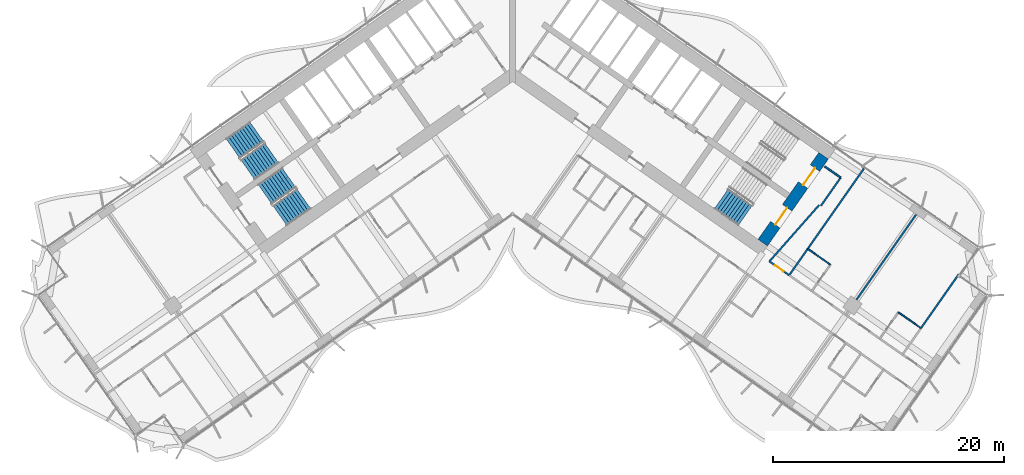
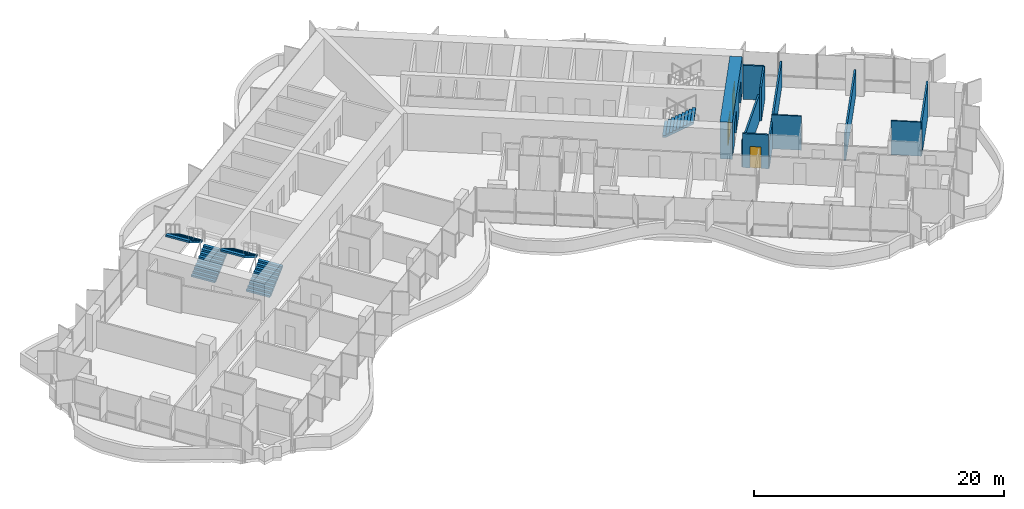
# One storey, part 16 of 23: 11 walls, 5 stair flights, 3 doors, 3 openings, 3 elements without a shape of their own.
"""IFC4 building model written with IfcOpenShell, lengths in metres."""

from ifc_helpers import new_model, si_unit, direction, frame, frame_2d, origin, place, context, subcontext, project, spatial, polyline, rectangle, outline, extrude, material, layer, layer_set, type_object, element, fill, aggregate, save


model = new_model("IFC4")

# Units and contexts
model_context = context("Model", 3, precision=1e-05, world=origin(), true_north=direction((0.0, 1.0)))
body_context = subcontext(model_context, "Body", "Model", "MODEL_VIEW")
ifc_project = project(units=[si_unit("LENGTHUNIT", "METRE"), si_unit("AREAUNIT", "SQUARE_METRE"), si_unit("VOLUMEUNIT", "CUBIC_METRE"), si_unit("PLANEANGLEUNIT", "RADIAN"), si_unit("MASSUNIT", "GRAM", prefix="KILO")], contexts=[model_context])

# Site, building, storey
site_placement = place(None, origin())
site = spatial("IfcSite", under=ifc_project, at=site_placement, CompositionType="ELEMENT")
building_placement = place(site_placement, origin())
building = spatial("IfcBuilding", under=site, at=building_placement, Name="Tel Ilan Convention Tower", CompositionType="ELEMENT")
storey_placement = place(building_placement, frame((0.0, 0.0, 112.10009765625)))
storey = spatial("IfcBuildingStorey", under=building, at=storey_placement, Name="L24", CompositionType="ELEMENT", Elevation=112.10009765625)

# Wall, openings, doors
ifc_material_1 = material(Name="Concrete C60/75", Category="concrete")
ifc_layer_1 = layer(ifc_material_1, 1.0)
ifc_layer_set_1 = layer_set([ifc_layer_1], Name="Core Shear Wall 1000 mm C60/75")
wall_type_1 = type_object("IfcWallType", Name="Core Shear Wall 1000 mm C60/75", PredefinedType="SHEAR", material=ifc_layer_set_1)
wall_1_placement = place(storey_placement, frame((21.70751953125, -15.19970703125, 0.0), z_axis=(0.0, 0.0, 1.0), x_axis=(0.573576324356, 0.819152122709, 0.0)))
wall_1 = element("IfcWall", 1, at=wall_1_placement, inside=storey, type_object=wall_type_1, Name="L24 core wall E-end", PredefinedType="SHEAR", context=body_context, shape_type="SweptSolid", body=[
    extrude(outline(polyline([(9.199951171875, 0.5), (0.0, 0.5), (0.0, -0.5), (9.199951171875, -0.5), (9.199951171875, 0.5)])), origin(), (0.0, 0.0, 1.0), 3.599853515625),
])
opening_1_placement = place(wall_1_placement, frame((6.10009765625, 0.0, 0.0)))
opening_1 = element("IfcOpeningElement", 2, at=opening_1_placement, cuts=wall_1, Name="Opening SD2003", PredefinedType="OPENING", context=body_context, shape_type="SweptSolid", body=[
    extrude(rectangle(XDim=1.800048828125, YDim=2.10009765625, at=frame_2d((0.89990234375, 1.050048828125))), frame((0.0, 0.510009765625, 0.0), z_axis=(0.0, -1.0, 0.0), x_axis=(1.0, 0.0, 0.0)), (0.0, 0.0, 1.0), 1.02001953125),
])
opening_2_placement = place(wall_1_placement, frame((1.89990234375, 0.0, 0.0)))
opening_2 = element("IfcOpeningElement", 3, at=opening_2_placement, cuts=wall_1, Name="Opening SD2004", PredefinedType="OPENING", context=body_context, shape_type="SweptSolid", body=[
    extrude(rectangle(XDim=1.800048828125, YDim=2.10009765625, at=frame_2d((0.89990234375, 1.050048828125))), frame((0.0, 0.510009765625, 0.0), z_axis=(0.0, -1.0, 0.0), x_axis=(1.0, 0.0, 0.0)), (0.0, 0.0, 1.0), 1.02001953125),
])
ifc_material_2 = material(Name="Galvanised Steel Door Leaf", Category="steel")
door_type_1 = type_object("IfcDoorType", Name="Stair Fire Door 1800 x 2100 FD60S", OperationType="NOTDEFINED", PredefinedType="DOOR", material=ifc_material_2)
door_1_placement = place(opening_1_placement, origin())
door_1 = element("IfcDoor", 4, at=door_1_placement, inside=storey, type_object=door_type_1, Name="Stair S3 door", OperationType="DOUBLE_DOOR_SINGLE_SWING", OverallHeight=2.10009765625, OverallWidth=1.800048828125, PredefinedType="DOOR", context=body_context, shape_type="SweptSolid", body=[
    extrude(rectangle(XDim=1.800048828125, YDim=2.10009765625, at=frame_2d((0.89990234375, 1.050048828125))), frame((0.0, 0.02490234375, 0.0), z_axis=(0.0, -1.0, 0.0), x_axis=(1.0, 0.0, 0.0)), (0.0, 0.0, 1.0), 0.050048828125),
])
fill(opening_1, door_1)
door_2_placement = place(opening_2_placement, origin())
door_2 = element("IfcDoor", 5, at=door_2_placement, inside=storey, type_object=door_type_1, Name="Stair S4 door", OperationType="DOUBLE_DOOR_SINGLE_SWING", OverallHeight=2.10009765625, OverallWidth=1.800048828125, PredefinedType="DOOR", context=body_context, shape_type="SweptSolid", body=[
    extrude(rectangle(XDim=1.800048828125, YDim=2.10009765625, at=frame_2d((0.89990234375, 1.050048828125))), frame((0.0, 0.02490234375, 0.0), z_axis=(0.0, -1.0, 0.0), x_axis=(1.0, 0.0, 0.0)), (0.0, 0.0, 1.0), 0.050048828125),
])
fill(opening_2, door_2)

# Wall, opening, door
ifc_material_3 = material(Name="Plasterboard on Steel Studs", Category="steel")
ifc_layer_2 = layer(ifc_material_3, 0.14990234375)
ifc_layer_set_2 = layer_set([ifc_layer_2], Name="Fire-rated Partition 150 EI 60")
wall_type_2 = type_object("IfcWallType", Name="Fire-rated Partition 150 EI 60", PredefinedType="PARTITIONING", material=ifc_layer_set_2)
wall_2_placement = place(storey_placement, frame((22.28369140625, -16.823974609375, 0.0), z_axis=(0.0, 0.0, 1.0), x_axis=(0.819160859995, -0.573563846013, 0.0)))
wall_2 = element("IfcWall", 6, at=wall_2_placement, inside=storey, type_object=wall_type_2, Name="Partition 001", PredefinedType="PARTITIONING", context=body_context, shape_type="SweptSolid", body=[
    extrude(rectangle(XDim=2.098388671875, YDim=0.14990234375, at=frame_2d((1.04931640625, 0.0))), origin(), (0.0, 0.0, 1.0), 3.31982421875),
])
opening_3_placement = place(wall_2_placement, frame((0.59912109375, 0.0, 0.0)))
opening_3 = element("IfcOpeningElement", 7, at=opening_3_placement, cuts=wall_2, Name="Opening L24-027", PredefinedType="OPENING", context=body_context, shape_type="SweptSolid", body=[
    extrude(rectangle(XDim=0.89990234375, YDim=2.10009765625, at=frame_2d((0.449951171875, 1.050048828125))), frame((0.0, 0.0849609375, 0.0), z_axis=(0.0, -1.0, 0.0), x_axis=(1.0, 0.0, 0.0)), (0.0, 0.0, 1.0), 0.169921875),
])
ifc_material_4 = material(Name="Timber Door Leaf in Steel Frame", Category="steel")
door_type_2 = type_object("IfcDoorType", Name="Room Fire Door 900x2100", OperationType="NOTDEFINED", PredefinedType="DOOR", material=ifc_material_4)
door_3_placement = place(opening_3_placement, origin())
door_3 = element("IfcDoor", 8, at=door_3_placement, inside=storey, type_object=door_type_2, Name="Door L24-027", OperationType="SINGLE_SWING_LEFT", OverallHeight=2.10009765625, OverallWidth=0.89990234375, PredefinedType="DOOR", context=body_context, shape_type="SweptSolid", body=[
    extrude(rectangle(XDim=0.89990234375, YDim=2.10009765625, at=frame_2d((0.449951171875, 1.050048828125))), frame((0.0, 0.02490234375, 0.0), z_axis=(0.0, -1.0, 0.0), x_axis=(1.0, 0.0, 0.0)), (0.0, 0.0, 1.0), 0.050048828125),
])
fill(opening_3, door_3)

# Walls
wall_3_placement = place(storey_placement, frame((30.482421875, -8.77001953125, 0.0), z_axis=(0.0, 0.0, 1.0), x_axis=(-0.573576058406, -0.819152308929, 0.0)))
element("IfcWall", 9, at=wall_3_placement, inside=storey, type_object=wall_type_2, Name="Partition 033", PredefinedType="PARTITIONING", context=body_context, shape_type="SweptSolid", body=[
    extrude(rectangle(XDim=8.5009765625, YDim=0.14990234375, at=frame_2d((4.25048828125, 0.0))), origin(), (0.0, 0.0, 1.0), 2.599853515625),
])
wall_4_placement = place(storey_placement, frame((25.608154296875, -15.731201171875, 0.0), z_axis=(0.0, 0.0, 1.0), x_axis=(-0.573596837309, -0.819137759006, 0.0)))
element("IfcWall", 10, at=wall_4_placement, inside=storey, type_object=wall_type_2, Name="Partition 034", PredefinedType="PARTITIONING", context=body_context, shape_type="SweptSolid", body=[
    extrude(rectangle(XDim=2.802001953125, YDim=0.14990234375, at=frame_2d((1.40087890625, 0.0))), origin(), (0.0, 0.0, 1.0), 2.599853515625),
])
wall_5_placement = place(storey_placement, frame((22.285400390625, -16.8251953125, 0.0), z_axis=(0.0, 0.0, 1.0), x_axis=(0.661551268245, 0.749899939647, 0.0)))
element("IfcWall", 11, at=wall_5_placement, inside=storey, type_object=wall_type_2, Name="Partition 035", PredefinedType="PARTITIONING", context=body_context, shape_type="SweptSolid", body=[
    extrude(rectangle(XDim=6.541015625, YDim=0.14990234375, at=frame_2d((3.2705078125, 0.0))), origin(), (0.0, 0.0, 1.0), 2.599853515625),
])
wall_6_placement = place(storey_placement, frame((26.74609375, -12.013671875, 0.0), z_axis=(0.0, 0.0, 1.0), x_axis=(0.573560650686, 0.819163097304, 0.0)))
element("IfcWall", 12, at=wall_6_placement, inside=storey, type_object=wall_type_2, Name="Partition 036", PredefinedType="PARTITIONING", context=body_context, shape_type="SweptSolid", body=[
    extrude(rectangle(XDim=3.0, YDim=0.14990234375, at=frame_2d((1.5, 0.0))), origin(), (0.0, 0.0, 1.0), 3.31982421875),
])
wall_7_placement = place(storey_placement, frame((28.466796875, -9.55615234375, 0.0), z_axis=(0.0, 0.0, 1.0), x_axis=(-0.819109000826, 0.573637903879, 0.0)))
element("IfcWall", 13, at=wall_7_placement, inside=storey, type_object=wall_type_2, Name="Partition 037", PredefinedType="PARTITIONING", context=body_context, shape_type="SweptSolid", body=[
    extrude(rectangle(XDim=1.679931640625, YDim=0.14990234375, at=frame_2d((0.83984375, 0.0))), origin(), (0.0, 0.0, 1.0), 3.31982421875),
])
wall_8_placement = place(storey_placement, frame((35.012939453125, -12.76025390625, 0.0), z_axis=(0.0, 0.0, 1.0), x_axis=(-0.573558725113, -0.819164445546, 0.0)))
element("IfcWall", 14, at=wall_8_placement, inside=storey, type_object=wall_type_2, Name="Partition 040", PredefinedType="PARTITIONING", context=body_context, shape_type="SweptSolid", body=[
    extrude(rectangle(XDim=9.010009765625, YDim=0.14990234375, at=frame_2d((4.5048828125, 0.0))), origin(), (0.0, 0.0, 1.0), 2.599853515625),
])
wall_9_placement = place(storey_placement, frame((38.70751953125, -17.94482421875, 0.0), z_axis=(0.0, 0.0, 1.0), x_axis=(-0.573568678046, -0.819157476658, 0.0)))
element("IfcWall", 15, at=wall_9_placement, inside=storey, type_object=wall_type_2, Name="Partition 044", PredefinedType="PARTITIONING", context=body_context, shape_type="SweptSolid", body=[
    extrude(rectangle(XDim=5.701171875, YDim=0.14990234375, at=frame_2d((2.8505859375, 0.0))), origin(), (0.0, 0.0, 1.0), 3.31982421875),
])
ifc_material_5 = material(Name="Plasterboard on Steel Studs", Category="steel")
ifc_layer_3 = layer(ifc_material_5, 0.1201171875)
ifc_layer_set_3 = layer_set([ifc_layer_3], Name="Moisture-resistant Partition 120")
wall_type_3 = type_object("IfcWallType", Name="Moisture-resistant Partition 120", PredefinedType="PARTITIONING", material=ifc_layer_set_3)
wall_10_placement = place(storey_placement, frame((27.573486328125, -17.108642578125, 0.0), z_axis=(0.0, 0.0, 1.0), x_axis=(-0.819107643868, 0.573639841501, 0.0)))
element("IfcWall", 16, at=wall_10_placement, inside=storey, type_object=wall_type_3, Name="Partition 039", PredefinedType="PARTITIONING", context=body_context, shape_type="SweptSolid", body=[
    extrude(rectangle(XDim=2.39990234375, YDim=0.1201171875, at=frame_2d((1.199951171875, 0.0))), origin(), (0.0, 0.0, 1.0), 3.31982421875),
])
wall_11_placement = place(storey_placement, frame((35.4375, -22.614990234375, 0.0), z_axis=(0.0, 0.0, 1.0), x_axis=(-0.819141114317, 0.573592045652, 0.0)))
element("IfcWall", 17, at=wall_11_placement, inside=storey, type_object=wall_type_3, Name="Partition 042", PredefinedType="PARTITIONING", context=body_context, shape_type="SweptSolid", body=[
    extrude(rectangle(XDim=2.400146484375, YDim=0.1201171875, at=frame_2d((1.2001953125, 0.0))), origin(), (0.0, 0.0, 1.0), 3.31982421875),
])

# Stair, stair flights
ifc_material_6 = material(Name="Concrete C40/50", Category="concrete")
stair_type = type_object("IfcStairType", Name="Pressurised Exit Stair 20 risers 180 mm", PredefinedType="HALF_TURN_STAIR", material=ifc_material_6)
stair_1_placement = place(storey_placement, origin())
stair_1 = element("IfcStair", 18, at=stair_1_placement, inside=storey, type_object=stair_type, Name="L24 Pressurised Stair S1", PredefinedType="HALF_TURN_STAIR")
ifc_material_7 = material(Name="Precast Concrete C40/50", Category="concrete")
stair_flight_type = type_object("IfcStairFlightType", Name="Concrete Stair Flight 2100 mm 20 risers 180 mm", PredefinedType="STRAIGHT", material=ifc_material_7)
stair_flight_1_placement = place(storey_placement, frame((-22.9619140625, -8.87548828125, 0.0), z_axis=(0.0, 0.0, 1.0), x_axis=(0.819152044289, 0.573576436351, 0.0)))
stair_flight_1 = element("IfcStairFlight", 19, at=stair_flight_1_placement, type_object=stair_flight_type, Name="S1 flight 1", NumberOfRisers=10, NumberOfTreads=9, PredefinedType="STRAIGHT", RiserHeight=0.18, TreadLength=0.28, context=body_context, shape_type="SweptSolid", body=[
    extrude(outline(polyline([(0.0, 0.0), (0.0, 0.179931640625), (0.280029296875, 0.179931640625), (0.280029296875, 0.360107421875), (0.56005859375, 0.360107421875), (0.56005859375, 0.5400390625), (0.840087890625, 0.5400390625), (0.840087890625, 0.719970703125), (1.1201171875, 0.719970703125), (1.1201171875, 0.89990234375), (1.39990234375, 0.89990234375), (1.39990234375, 1.080078125), (1.679931640625, 1.080078125), (1.679931640625, 1.260009765625), (1.9599609375, 1.260009765625), (1.9599609375, 1.43994140625), (2.239990234375, 1.43994140625), (2.239990234375, 1.6201171875), (2.52001953125, 1.6201171875), (2.52001953125, 1.800048828125), (2.52001953125, 1.44189453125), (0.277099609375, 0.0), (0.0, 0.0)])), frame((0.0, -0.100341796875, 0.0), z_axis=(0.0, -1.0, 0.0), x_axis=(1.0, 0.0, 0.0)), (0.0, 0.0, 1.0), 0.94970703125),
    extrude(outline(polyline([(0.0, 0.0), (0.0, 0.179931640625), (0.280029296875, 0.179931640625), (0.280029296875, 0.360107421875), (0.56005859375, 0.360107421875), (0.56005859375, 0.5400390625), (0.840087890625, 0.5400390625), (0.840087890625, 0.719970703125), (1.1201171875, 0.719970703125), (1.1201171875, 0.89990234375), (1.39990234375, 0.89990234375), (1.39990234375, 1.080078125), (1.679931640625, 1.080078125), (1.679931640625, 1.260009765625), (1.9599609375, 1.260009765625), (1.9599609375, 1.43994140625), (2.239990234375, 1.43994140625), (2.239990234375, 1.6201171875), (2.52001953125, 1.6201171875), (2.52001953125, 1.800048828125), (2.52001953125, 1.44189453125), (0.277099609375, 0.0), (0.0, 0.0)])), frame((0.0, -0.000244140625, 0.0), z_axis=(0.0, -1.0, 0.0), x_axis=(1.0, 0.0, 0.0)), (0.0, 0.0, 1.0), 0.099609375),
    extrude(outline(polyline([(0.0, 0.0), (0.0, 0.179931640625), (0.280029296875, 0.179931640625), (0.280029296875, 0.360107421875), (0.56005859375, 0.360107421875), (0.56005859375, 0.5400390625), (0.840087890625, 0.5400390625), (0.840087890625, 0.719970703125), (1.1201171875, 0.719970703125), (1.1201171875, 0.89990234375), (1.39990234375, 0.89990234375), (1.39990234375, 1.080078125), (1.679931640625, 1.080078125), (1.679931640625, 1.260009765625), (1.9599609375, 1.260009765625), (1.9599609375, 1.43994140625), (2.239990234375, 1.43994140625), (2.239990234375, 1.6201171875), (2.52001953125, 1.6201171875), (2.52001953125, 1.800048828125), (2.52001953125, 1.44189453125), (0.277099609375, 0.0), (0.0, 0.0)])), frame((0.0, 0.099853515625, 0.0), z_axis=(0.0, -1.0, 0.0), x_axis=(1.0, 0.0, 0.0)), (0.0, 0.0, 1.0), 0.099609375),
    extrude(outline(polyline([(0.0, 0.0), (0.0, 0.179931640625), (0.280029296875, 0.179931640625), (0.280029296875, 0.360107421875), (0.56005859375, 0.360107421875), (0.56005859375, 0.5400390625), (0.840087890625, 0.5400390625), (0.840087890625, 0.719970703125), (1.1201171875, 0.719970703125), (1.1201171875, 0.89990234375), (1.39990234375, 0.89990234375), (1.39990234375, 1.080078125), (1.679931640625, 1.080078125), (1.679931640625, 1.260009765625), (1.9599609375, 1.260009765625), (1.9599609375, 1.43994140625), (2.239990234375, 1.43994140625), (2.239990234375, 1.6201171875), (2.52001953125, 1.6201171875), (2.52001953125, 1.800048828125), (2.52001953125, 1.44189453125), (0.277099609375, 0.0), (0.0, 0.0)])), frame((0.0, 1.050048828125, 0.0), z_axis=(0.0, -1.0, 0.0), x_axis=(1.0, 0.0, 0.0)), (0.0, 0.0, 1.0), 0.94970703125),
])
stair_flight_2_placement = place(storey_placement, frame((-22.188232421875, -5.5869140625, 1.7998046875), z_axis=(0.0, 0.0, 1.0), x_axis=(-0.819152044289, -0.573576436351, 0.0)))
stair_flight_2 = element("IfcStairFlight", 20, at=stair_flight_2_placement, type_object=stair_flight_type, Name="S1 flight 2", NumberOfRisers=10, NumberOfTreads=9, PredefinedType="STRAIGHT", RiserHeight=0.18, TreadLength=0.28, context=body_context, shape_type="SweptSolid", body=[
    extrude(outline(polyline([(0.0, 0.0), (0.0, 0.179931640625), (0.280029296875, 0.179931640625), (0.280029296875, 0.360107421875), (0.56005859375, 0.360107421875), (0.56005859375, 0.5400390625), (0.840087890625, 0.5400390625), (0.840087890625, 0.719970703125), (1.1201171875, 0.719970703125), (1.1201171875, 0.89990234375), (1.39990234375, 0.89990234375), (1.39990234375, 1.080078125), (1.679931640625, 1.080078125), (1.679931640625, 1.260009765625), (1.9599609375, 1.260009765625), (1.9599609375, 1.43994140625), (2.239990234375, 1.43994140625), (2.239990234375, 1.6201171875), (2.52001953125, 1.6201171875), (2.52001953125, 1.800048828125), (2.52001953125, 1.44189453125), (0.277099609375, 0.0), (0.0, 0.0)])), frame((0.0, -0.100341796875, 0.0), z_axis=(0.0, -1.0, 0.0), x_axis=(1.0, 0.0, 0.0)), (0.0, 0.0, 1.0), 0.94970703125),
    extrude(outline(polyline([(0.0, 0.0), (0.0, 0.179931640625), (0.280029296875, 0.179931640625), (0.280029296875, 0.360107421875), (0.56005859375, 0.360107421875), (0.56005859375, 0.5400390625), (0.840087890625, 0.5400390625), (0.840087890625, 0.719970703125), (1.1201171875, 0.719970703125), (1.1201171875, 0.89990234375), (1.39990234375, 0.89990234375), (1.39990234375, 1.080078125), (1.679931640625, 1.080078125), (1.679931640625, 1.260009765625), (1.9599609375, 1.260009765625), (1.9599609375, 1.43994140625), (2.239990234375, 1.43994140625), (2.239990234375, 1.6201171875), (2.52001953125, 1.6201171875), (2.52001953125, 1.800048828125), (2.52001953125, 1.44189453125), (0.277099609375, 0.0), (0.0, 0.0)])), frame((0.0, -0.000244140625, 0.0), z_axis=(0.0, -1.0, 0.0), x_axis=(1.0, 0.0, 0.0)), (0.0, 0.0, 1.0), 0.099609375),
    extrude(outline(polyline([(0.0, 0.0), (0.0, 0.179931640625), (0.280029296875, 0.179931640625), (0.280029296875, 0.360107421875), (0.56005859375, 0.360107421875), (0.56005859375, 0.5400390625), (0.840087890625, 0.5400390625), (0.840087890625, 0.719970703125), (1.1201171875, 0.719970703125), (1.1201171875, 0.89990234375), (1.39990234375, 0.89990234375), (1.39990234375, 1.080078125), (1.679931640625, 1.080078125), (1.679931640625, 1.260009765625), (1.9599609375, 1.260009765625), (1.9599609375, 1.43994140625), (2.239990234375, 1.43994140625), (2.239990234375, 1.6201171875), (2.52001953125, 1.6201171875), (2.52001953125, 1.800048828125), (2.52001953125, 1.44189453125), (0.277099609375, 0.0), (0.0, 0.0)])), frame((0.0, 0.099853515625, 0.0), z_axis=(0.0, -1.0, 0.0), x_axis=(1.0, 0.0, 0.0)), (0.0, 0.0, 1.0), 0.099609375),
    extrude(outline(polyline([(0.0, 0.0), (0.0, 0.179931640625), (0.280029296875, 0.179931640625), (0.280029296875, 0.360107421875), (0.56005859375, 0.360107421875), (0.56005859375, 0.5400390625), (0.840087890625, 0.5400390625), (0.840087890625, 0.719970703125), (1.1201171875, 0.719970703125), (1.1201171875, 0.89990234375), (1.39990234375, 0.89990234375), (1.39990234375, 1.080078125), (1.679931640625, 1.080078125), (1.679931640625, 1.260009765625), (1.9599609375, 1.260009765625), (1.9599609375, 1.43994140625), (2.239990234375, 1.43994140625), (2.239990234375, 1.6201171875), (2.52001953125, 1.6201171875), (2.52001953125, 1.800048828125), (2.52001953125, 1.44189453125), (0.277099609375, 0.0), (0.0, 0.0)])), frame((0.0, 1.050048828125, 0.0), z_axis=(0.0, -1.0, 0.0), x_axis=(1.0, 0.0, 0.0)), (0.0, 0.0, 1.0), 0.94970703125),
])
aggregate(stair_1, [stair_flight_1, stair_flight_2])

stair_2_placement = place(storey_placement, origin())
stair_2 = element("IfcStair", 21, at=stair_2_placement, inside=storey, type_object=stair_type, Name="L24 Pressurised Stair S2", PredefinedType="HALF_TURN_STAIR")
stair_flight_3_placement = place(storey_placement, frame((-20.179931640625, -12.848388671875, 0.0), z_axis=(0.0, 0.0, 1.0), x_axis=(0.819152044289, 0.573576436351, 0.0)))
stair_flight_3 = element("IfcStairFlight", 22, at=stair_flight_3_placement, type_object=stair_flight_type, Name="S2 flight 1", NumberOfRisers=10, NumberOfTreads=9, PredefinedType="STRAIGHT", RiserHeight=0.18, TreadLength=0.28, context=body_context, shape_type="SweptSolid", body=[
    extrude(outline(polyline([(0.0, 0.0), (0.0, 0.179931640625), (0.280029296875, 0.179931640625), (0.280029296875, 0.360107421875), (0.56005859375, 0.360107421875), (0.56005859375, 0.5400390625), (0.840087890625, 0.5400390625), (0.840087890625, 0.719970703125), (1.1201171875, 0.719970703125), (1.1201171875, 0.89990234375), (1.39990234375, 0.89990234375), (1.39990234375, 1.080078125), (1.679931640625, 1.080078125), (1.679931640625, 1.260009765625), (1.9599609375, 1.260009765625), (1.9599609375, 1.43994140625), (2.239990234375, 1.43994140625), (2.239990234375, 1.6201171875), (2.52001953125, 1.6201171875), (2.52001953125, 1.800048828125), (2.52001953125, 1.44189453125), (0.277099609375, 0.0), (0.0, 0.0)])), frame((0.0, -0.100341796875, 0.0), z_axis=(0.0, -1.0, 0.0), x_axis=(1.0, 0.0, 0.0)), (0.0, 0.0, 1.0), 0.94970703125),
    extrude(outline(polyline([(0.0, 0.0), (0.0, 0.179931640625), (0.280029296875, 0.179931640625), (0.280029296875, 0.360107421875), (0.56005859375, 0.360107421875), (0.56005859375, 0.5400390625), (0.840087890625, 0.5400390625), (0.840087890625, 0.719970703125), (1.1201171875, 0.719970703125), (1.1201171875, 0.89990234375), (1.39990234375, 0.89990234375), (1.39990234375, 1.080078125), (1.679931640625, 1.080078125), (1.679931640625, 1.260009765625), (1.9599609375, 1.260009765625), (1.9599609375, 1.43994140625), (2.239990234375, 1.43994140625), (2.239990234375, 1.6201171875), (2.52001953125, 1.6201171875), (2.52001953125, 1.800048828125), (2.52001953125, 1.44189453125), (0.277099609375, 0.0), (0.0, 0.0)])), frame((0.0, -0.000244140625, 0.0), z_axis=(0.0, -1.0, 0.0), x_axis=(1.0, 0.0, 0.0)), (0.0, 0.0, 1.0), 0.099609375),
    extrude(outline(polyline([(0.0, 0.0), (0.0, 0.179931640625), (0.280029296875, 0.179931640625), (0.280029296875, 0.360107421875), (0.56005859375, 0.360107421875), (0.56005859375, 0.5400390625), (0.840087890625, 0.5400390625), (0.840087890625, 0.719970703125), (1.1201171875, 0.719970703125), (1.1201171875, 0.89990234375), (1.39990234375, 0.89990234375), (1.39990234375, 1.080078125), (1.679931640625, 1.080078125), (1.679931640625, 1.260009765625), (1.9599609375, 1.260009765625), (1.9599609375, 1.43994140625), (2.239990234375, 1.43994140625), (2.239990234375, 1.6201171875), (2.52001953125, 1.6201171875), (2.52001953125, 1.800048828125), (2.52001953125, 1.44189453125), (0.277099609375, 0.0), (0.0, 0.0)])), frame((0.0, 0.099853515625, 0.0), z_axis=(0.0, -1.0, 0.0), x_axis=(1.0, 0.0, 0.0)), (0.0, 0.0, 1.0), 0.099609375),
    extrude(outline(polyline([(0.0, 0.0), (0.0, 0.179931640625), (0.280029296875, 0.179931640625), (0.280029296875, 0.360107421875), (0.56005859375, 0.360107421875), (0.56005859375, 0.5400390625), (0.840087890625, 0.5400390625), (0.840087890625, 0.719970703125), (1.1201171875, 0.719970703125), (1.1201171875, 0.89990234375), (1.39990234375, 0.89990234375), (1.39990234375, 1.080078125), (1.679931640625, 1.080078125), (1.679931640625, 1.260009765625), (1.9599609375, 1.260009765625), (1.9599609375, 1.43994140625), (2.239990234375, 1.43994140625), (2.239990234375, 1.6201171875), (2.52001953125, 1.6201171875), (2.52001953125, 1.800048828125), (2.52001953125, 1.44189453125), (0.277099609375, 0.0), (0.0, 0.0)])), frame((0.0, 1.050048828125, 0.0), z_axis=(0.0, -1.0, 0.0), x_axis=(1.0, 0.0, 0.0)), (0.0, 0.0, 1.0), 0.94970703125),
])
stair_flight_4_placement = place(storey_placement, frame((-19.40625, -9.559814453125, 1.7998046875), z_axis=(0.0, 0.0, 1.0), x_axis=(-0.819152044289, -0.573576436351, 0.0)))
stair_flight_4 = element("IfcStairFlight", 23, at=stair_flight_4_placement, type_object=stair_flight_type, Name="S2 flight 2", NumberOfRisers=10, NumberOfTreads=9, PredefinedType="STRAIGHT", RiserHeight=0.18, TreadLength=0.28, context=body_context, shape_type="SweptSolid", body=[
    extrude(outline(polyline([(0.0, 0.0), (0.0, 0.179931640625), (0.280029296875, 0.179931640625), (0.280029296875, 0.360107421875), (0.56005859375, 0.360107421875), (0.56005859375, 0.5400390625), (0.840087890625, 0.5400390625), (0.840087890625, 0.719970703125), (1.1201171875, 0.719970703125), (1.1201171875, 0.89990234375), (1.39990234375, 0.89990234375), (1.39990234375, 1.080078125), (1.679931640625, 1.080078125), (1.679931640625, 1.260009765625), (1.9599609375, 1.260009765625), (1.9599609375, 1.43994140625), (2.239990234375, 1.43994140625), (2.239990234375, 1.6201171875), (2.52001953125, 1.6201171875), (2.52001953125, 1.800048828125), (2.52001953125, 1.44189453125), (0.277099609375, 0.0), (0.0, 0.0)])), frame((0.0, -0.100341796875, 0.0), z_axis=(0.0, -1.0, 0.0), x_axis=(1.0, 0.0, 0.0)), (0.0, 0.0, 1.0), 0.94970703125),
    extrude(outline(polyline([(0.0, 0.0), (0.0, 0.179931640625), (0.280029296875, 0.179931640625), (0.280029296875, 0.360107421875), (0.56005859375, 0.360107421875), (0.56005859375, 0.5400390625), (0.840087890625, 0.5400390625), (0.840087890625, 0.719970703125), (1.1201171875, 0.719970703125), (1.1201171875, 0.89990234375), (1.39990234375, 0.89990234375), (1.39990234375, 1.080078125), (1.679931640625, 1.080078125), (1.679931640625, 1.260009765625), (1.9599609375, 1.260009765625), (1.9599609375, 1.43994140625), (2.239990234375, 1.43994140625), (2.239990234375, 1.6201171875), (2.52001953125, 1.6201171875), (2.52001953125, 1.800048828125), (2.52001953125, 1.44189453125), (0.277099609375, 0.0), (0.0, 0.0)])), frame((0.0, -0.000244140625, 0.0), z_axis=(0.0, -1.0, 0.0), x_axis=(1.0, 0.0, 0.0)), (0.0, 0.0, 1.0), 0.099609375),
    extrude(outline(polyline([(0.0, 0.0), (0.0, 0.179931640625), (0.280029296875, 0.179931640625), (0.280029296875, 0.360107421875), (0.56005859375, 0.360107421875), (0.56005859375, 0.5400390625), (0.840087890625, 0.5400390625), (0.840087890625, 0.719970703125), (1.1201171875, 0.719970703125), (1.1201171875, 0.89990234375), (1.39990234375, 0.89990234375), (1.39990234375, 1.080078125), (1.679931640625, 1.080078125), (1.679931640625, 1.260009765625), (1.9599609375, 1.260009765625), (1.9599609375, 1.43994140625), (2.239990234375, 1.43994140625), (2.239990234375, 1.6201171875), (2.52001953125, 1.6201171875), (2.52001953125, 1.800048828125), (2.52001953125, 1.44189453125), (0.277099609375, 0.0), (0.0, 0.0)])), frame((0.0, 0.099853515625, 0.0), z_axis=(0.0, -1.0, 0.0), x_axis=(1.0, 0.0, 0.0)), (0.0, 0.0, 1.0), 0.099609375),
    extrude(outline(polyline([(0.0, 0.0), (0.0, 0.179931640625), (0.280029296875, 0.179931640625), (0.280029296875, 0.360107421875), (0.56005859375, 0.360107421875), (0.56005859375, 0.5400390625), (0.840087890625, 0.5400390625), (0.840087890625, 0.719970703125), (1.1201171875, 0.719970703125), (1.1201171875, 0.89990234375), (1.39990234375, 0.89990234375), (1.39990234375, 1.080078125), (1.679931640625, 1.080078125), (1.679931640625, 1.260009765625), (1.9599609375, 1.260009765625), (1.9599609375, 1.43994140625), (2.239990234375, 1.43994140625), (2.239990234375, 1.6201171875), (2.52001953125, 1.6201171875), (2.52001953125, 1.800048828125), (2.52001953125, 1.44189453125), (0.277099609375, 0.0), (0.0, 0.0)])), frame((0.0, 1.050048828125, 0.0), z_axis=(0.0, -1.0, 0.0), x_axis=(1.0, 0.0, 0.0)), (0.0, 0.0, 1.0), 0.94970703125),
])
aggregate(stair_2, [stair_flight_3, stair_flight_4])

# Stair, stair flight
stair_3_placement = place(storey_placement, origin())
stair_3 = element("IfcStair", 24, at=stair_3_placement, inside=storey, type_object=stair_type, Name="L24 Pressurised Stair S4", PredefinedType="HALF_TURN_STAIR")
stair_flight_5_placement = place(storey_placement, frame((18.11572265625, -11.403076171875, 1.7998046875), z_axis=(0.0, 0.0, 1.0), x_axis=(0.819152044289, -0.573576436351, 0.0)))
stair_flight_5 = element("IfcStairFlight", 25, at=stair_flight_5_placement, type_object=stair_flight_type, Name="S4 flight 2", NumberOfRisers=10, NumberOfTreads=9, PredefinedType="STRAIGHT", RiserHeight=0.18, TreadLength=0.28, context=body_context, shape_type="SweptSolid", body=[
    extrude(outline(polyline([(0.0, 0.0), (0.0, 0.179931640625), (0.280029296875, 0.179931640625), (0.280029296875, 0.360107421875), (0.56005859375, 0.360107421875), (0.56005859375, 0.5400390625), (0.840087890625, 0.5400390625), (0.840087890625, 0.719970703125), (1.1201171875, 0.719970703125), (1.1201171875, 0.89990234375), (1.39990234375, 0.89990234375), (1.39990234375, 1.080078125), (1.679931640625, 1.080078125), (1.679931640625, 1.260009765625), (1.9599609375, 1.260009765625), (1.9599609375, 1.43994140625), (2.239990234375, 1.43994140625), (2.239990234375, 1.6201171875), (2.52001953125, 1.6201171875), (2.52001953125, 1.800048828125), (2.52001953125, 1.44189453125), (0.277099609375, 0.0), (0.0, 0.0)])), frame((0.0, -0.100341796875, 0.0), z_axis=(0.0, -1.0, 0.0), x_axis=(1.0, 0.0, 0.0)), (0.0, 0.0, 1.0), 0.94970703125),
    extrude(outline(polyline([(0.0, 0.0), (0.0, 0.179931640625), (0.280029296875, 0.179931640625), (0.280029296875, 0.360107421875), (0.56005859375, 0.360107421875), (0.56005859375, 0.5400390625), (0.840087890625, 0.5400390625), (0.840087890625, 0.719970703125), (1.1201171875, 0.719970703125), (1.1201171875, 0.89990234375), (1.39990234375, 0.89990234375), (1.39990234375, 1.080078125), (1.679931640625, 1.080078125), (1.679931640625, 1.260009765625), (1.9599609375, 1.260009765625), (1.9599609375, 1.43994140625), (2.239990234375, 1.43994140625), (2.239990234375, 1.6201171875), (2.52001953125, 1.6201171875), (2.52001953125, 1.800048828125), (2.52001953125, 1.44189453125), (0.277099609375, 0.0), (0.0, 0.0)])), frame((0.0, -0.000244140625, 0.0), z_axis=(0.0, -1.0, 0.0), x_axis=(1.0, 0.0, 0.0)), (0.0, 0.0, 1.0), 0.099609375),
    extrude(outline(polyline([(0.0, 0.0), (0.0, 0.179931640625), (0.280029296875, 0.179931640625), (0.280029296875, 0.360107421875), (0.56005859375, 0.360107421875), (0.56005859375, 0.5400390625), (0.840087890625, 0.5400390625), (0.840087890625, 0.719970703125), (1.1201171875, 0.719970703125), (1.1201171875, 0.89990234375), (1.39990234375, 0.89990234375), (1.39990234375, 1.080078125), (1.679931640625, 1.080078125), (1.679931640625, 1.260009765625), (1.9599609375, 1.260009765625), (1.9599609375, 1.43994140625), (2.239990234375, 1.43994140625), (2.239990234375, 1.6201171875), (2.52001953125, 1.6201171875), (2.52001953125, 1.800048828125), (2.52001953125, 1.44189453125), (0.277099609375, 0.0), (0.0, 0.0)])), frame((0.0, 0.099853515625, 0.0), z_axis=(0.0, -1.0, 0.0), x_axis=(1.0, 0.0, 0.0)), (0.0, 0.0, 1.0), 0.099609375),
    extrude(outline(polyline([(0.0, 0.0), (0.0, 0.179931640625), (0.280029296875, 0.179931640625), (0.280029296875, 0.360107421875), (0.56005859375, 0.360107421875), (0.56005859375, 0.5400390625), (0.840087890625, 0.5400390625), (0.840087890625, 0.719970703125), (1.1201171875, 0.719970703125), (1.1201171875, 0.89990234375), (1.39990234375, 0.89990234375), (1.39990234375, 1.080078125), (1.679931640625, 1.080078125), (1.679931640625, 1.260009765625), (1.9599609375, 1.260009765625), (1.9599609375, 1.43994140625), (2.239990234375, 1.43994140625), (2.239990234375, 1.6201171875), (2.52001953125, 1.6201171875), (2.52001953125, 1.800048828125), (2.52001953125, 1.44189453125), (0.277099609375, 0.0), (0.0, 0.0)])), frame((0.0, 1.050048828125, 0.0), z_axis=(0.0, -1.0, 0.0), x_axis=(1.0, 0.0, 0.0)), (0.0, 0.0, 1.0), 0.94970703125),
])
aggregate(stair_3, [stair_flight_5])

save(model, "model.ifc")
